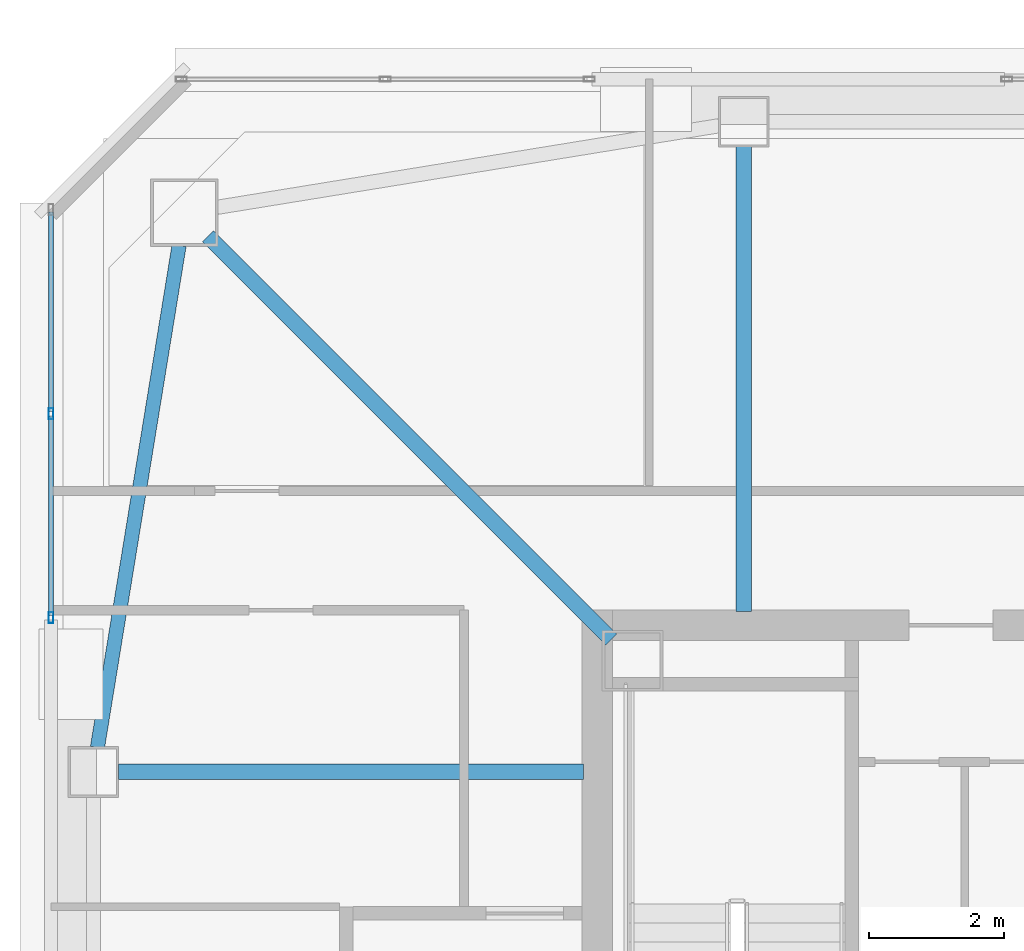
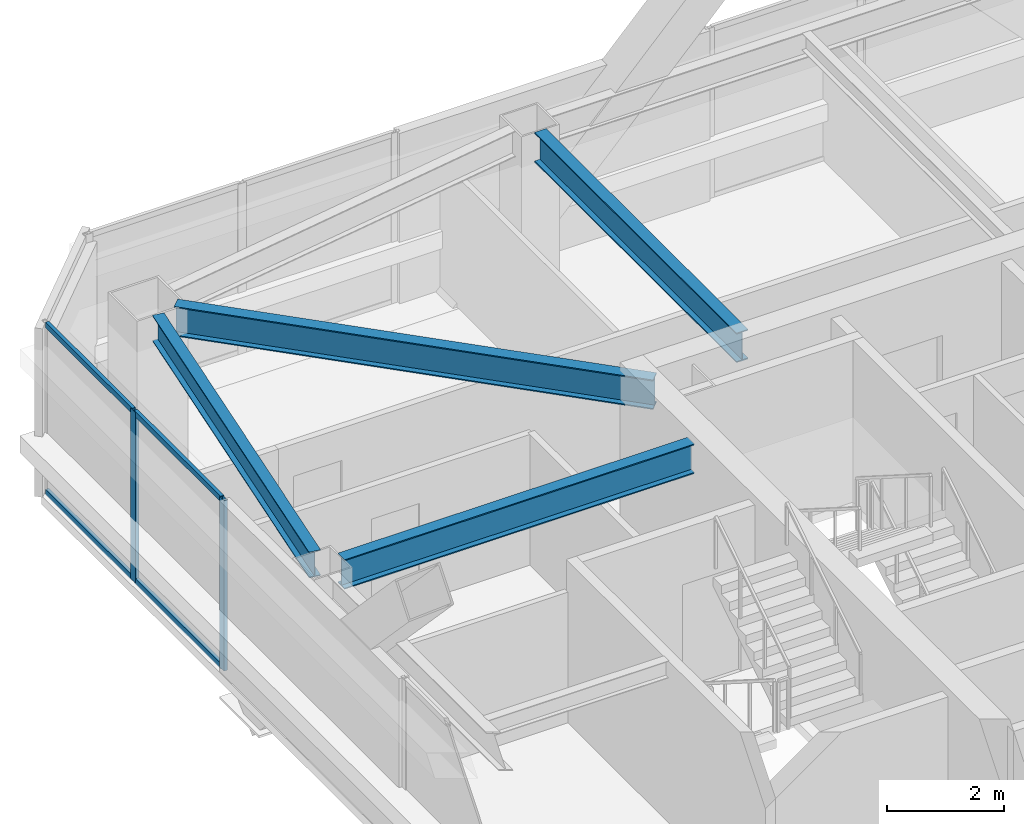
# One storey, part 10 of 39: 6 members, 4 beams, 1 element without a shape of its own.
"""IFC4 building model written with IfcOpenShell, lengths in metres."""

from ifc_helpers import new_model, si_unit, direction, frame, origin, origin_2d, place, context, subcontext, project, spatial, hollow_rectangle, i_section, extrude, material, material_profile, profile_set, type_object, element, aggregate, save


model = new_model("IFC4")

# Units and contexts
model_context = context("Model", 3, precision=1e-05, world=origin(), true_north=direction((0.0, 1.0)))
body_context = subcontext(model_context, "Body", "Model", "MODEL_VIEW")
ifc_project = project(units=[si_unit("LENGTHUNIT", "METRE"), si_unit("AREAUNIT", "SQUARE_METRE"), si_unit("VOLUMEUNIT", "CUBIC_METRE"), si_unit("PLANEANGLEUNIT", "RADIAN"), si_unit("MASSUNIT", "GRAM", prefix="KILO")], contexts=[model_context])

# Site, building, storey
site_placement = place(None, origin())
site = spatial("IfcSite", under=ifc_project, at=site_placement, CompositionType="ELEMENT")
building_placement = place(site_placement, origin())
building = spatial("IfcBuilding", under=site, at=building_placement, Name="Tashvorn Skyway Center", CompositionType="ELEMENT")
storey_placement = place(building_placement, frame((0.0, 0.0, 239.699951171875)))
storey = spatial("IfcBuildingStorey", under=building, at=storey_placement, Name="L65", CompositionType="ELEMENT", Elevation=239.699951171875)

# Beams
ifc_material_1 = material(Name="Steel ASTM A992 Grade 50", Category="steel")
ifc_material_profile_1 = material_profile(ifc_material_1, i_section(OverallWidth=0.22998046875, OverallDepth=0.616943359375, WebThickness=0.01318359375, FlangeThickness=0.022216796875, at=origin_2d()), Name="W24X94")
ifc_profile_set_1 = profile_set([ifc_material_profile_1], Name="Steel ASTM A992 Grade 50")
beam_type_1 = type_object("IfcBeamType", Name="BM-BEAM-W24X94", PredefinedType="BEAM", material=ifc_profile_set_1)
beam_1_placement = place(storey_placement, frame((28.64990234375, 45.35009765625, 3.0615234375), z_axis=(0.707106781187, -0.707106781187, 0.0), x_axis=(0.707106781187, 0.707106781187, 0.0)))
element("IfcBeam", 1, at=beam_1_placement, inside=storey, type_object=beam_type_1, Name="Tower 1 L65 Primary Floor Girder MC-NW", PredefinedType="BEAM", context=body_context, shape_type="SweptSolid", body=[
    extrude(i_section(OverallWidth=0.22998046875, OverallDepth=0.616943359375, WebThickness=0.01318359375, FlangeThickness=0.022216796875, at=origin_2d()), origin(), (0.0, 0.0, 1.0), 8.464599609375),
])
for number, where, z_axis, x_axis, name in (
    (2, (36.60009765625, 46.679931640625, 3.0615234375), (0.0, -1.0, 0.0), (1.0, 0.0, 0.0), "Tower 1 L65 Primary Floor Girder FC-N2"),
    (3, (27.320068359375, 37.39990234375, 3.0615234375), (1.0, 0.0, 0.0), (0.0, 1.0, 0.0), "Tower 1 L65 Primary Floor Girder FC-W1"),
):
    element("IfcBeam", number, at=place(storey_placement, frame(where, z_axis=z_axis, x_axis=x_axis)), inside=storey, type_object=beam_type_1, Name=name, PredefinedType="BEAM", context=body_context, shape_type="SweptSolid", body=[
        extrude(i_section(OverallWidth=0.22998046875, OverallDepth=0.616943359375, WebThickness=0.01318359375, FlangeThickness=0.022216796875, at=origin_2d()), origin(), (0.0, 0.0, 1.0), 6.89990234375),
    ])
ifc_material_profile_2 = material_profile(ifc_material_1, i_section(OverallWidth=0.2109375, OverallDepth=0.5390625, WebThickness=0.01171875, FlangeThickness=0.018798828125, at=origin_2d()), Name="W21X73")
ifc_profile_set_2 = profile_set([ifc_material_profile_2], Name="Steel ASTM A992 Grade 50")
beam_type_2 = type_object("IfcBeamType", Name="BM-SPANDREL-W21X73", PredefinedType="SPANDREL", material=ifc_profile_set_2)
beam_2_placement = place(storey_placement, frame((28.220458984375, 45.21142578125, 3.1005859375), z_axis=(-0.160514302677, -0.987033514444, 0.0), x_axis=(0.987033514444, -0.160514302677, 0.0)))
element("IfcBeam", 4, at=beam_2_placement, inside=storey, type_object=beam_type_2, Name="Tower 1 L65 Spandrel Beam 10", PredefinedType="SPANDREL", context=body_context, shape_type="SweptSolid", body=[
    extrude(i_section(OverallWidth=0.2109375, OverallDepth=0.5390625, WebThickness=0.01171875, FlangeThickness=0.018798828125, at=origin_2d()), origin(), (0.0, 0.0, 1.0), 7.544189453125),
])

# Curtain wall, members
ifc_material_2 = material(Name="Thermally broken bronze-anodized aluminium 6063-T6", Category="aluminium")
curtain_wall_type = type_object("IfcCurtainWallType", Name="CW-CW-Z5", PredefinedType="NOTDEFINED", material=ifc_material_2)
curtain_wall_placement = place(storey_placement, origin())
curtain_wall = element("IfcCurtainWall", 5, at=curtain_wall_placement, inside=storey, type_object=curtain_wall_type, Name="Tower 1 L65 West Unitised Curtain Wall Glazing Group 3", PredefinedType="NOTDEFINED")
ifc_material_profile_3 = material_profile(ifc_material_2, hollow_rectangle(XDim=0.070068359375, YDim=0.1650390625, WallThickness=0.00390625, at=origin_2d()), Name="ALU-MULL-70x165")
ifc_profile_set_3 = profile_set([ifc_material_profile_3], Name="Thermally broken bronze-anodized aluminium 6063-T6")
member_type_1 = type_object("IfcMemberType", Name="CWM-CW-Z5", PredefinedType="MULLION", material=ifc_profile_set_3)
member_1_placement = place(storey_placement, frame((26.320068359375, 39.690673828125, 0.0), z_axis=(0.0, 0.0, 1.0), x_axis=(-1.0, 0.0, 0.0)))
member_1 = element("IfcMember", 6, at=member_1_placement, type_object=member_type_1, Name="CW-Z5 mullion 1", PredefinedType="MULLION", context=body_context, shape_type="SweptSolid", body=[
    extrude(hollow_rectangle(XDim=0.070068359375, YDim=0.1650390625, WallThickness=0.00390625, at=origin_2d()), origin(), (0.0, 0.0, 1.0), 3.550048828125),
])
member_2_placement = place(storey_placement, frame((26.320068359375, 42.7177734375, 0.0), z_axis=(0.0, 0.0, 1.0), x_axis=(-1.0, 0.0, 0.0)))
member_2 = element("IfcMember", 7, at=member_2_placement, type_object=member_type_1, Name="CW-Z5 mullion 2", PredefinedType="MULLION", context=body_context, shape_type="SweptSolid", body=[
    extrude(hollow_rectangle(XDim=0.070068359375, YDim=0.1650390625, WallThickness=0.00390625, at=origin_2d()), origin(), (0.0, 0.0, 1.0), 3.550048828125),
])
ifc_material_profile_4 = material_profile(ifc_material_2, hollow_rectangle(XDim=0.070068359375, YDim=0.114990234375, WallThickness=0.00390625, at=origin_2d()), Name="ALU-TRAN-70x115")
ifc_profile_set_4 = profile_set([ifc_material_profile_4], Name="Thermally broken bronze-anodized aluminium 6063-T6")
member_type_2 = type_object("IfcMemberType", Name="CWT-CW-Z5", PredefinedType="USERDEFINED", material=ifc_profile_set_4)
member_3_placement = place(storey_placement, frame((26.320068359375, 39.7255859375, 0.03515625), z_axis=(0.0, 1.0, 0.0), x_axis=(-1.0, 0.0, 0.0)))
member_3 = element("IfcMember", 8, at=member_3_placement, type_object=member_type_2, Name="CW-Z5 transom 1.1", ObjectType="TRANSOM", PredefinedType="USERDEFINED", context=body_context, shape_type="SweptSolid", body=[
    extrude(hollow_rectangle(XDim=0.070068359375, YDim=0.114990234375, WallThickness=0.00390625, at=origin_2d()), origin(), (0.0, 0.0, 1.0), 2.957275390625),
])
member_4_placement = place(storey_placement, frame((26.320068359375, 39.7255859375, 3.51513671875), z_axis=(0.0, 1.0, 0.0), x_axis=(-1.0, 0.0, 0.0)))
member_4 = element("IfcMember", 9, at=member_4_placement, type_object=member_type_2, Name="CW-Z5 transom 1.2", ObjectType="TRANSOM", PredefinedType="USERDEFINED", context=body_context, shape_type="SweptSolid", body=[
    extrude(hollow_rectangle(XDim=0.070068359375, YDim=0.114990234375, WallThickness=0.00390625, at=origin_2d()), origin(), (0.0, 0.0, 1.0), 2.957275390625),
])
member_5_placement = place(storey_placement, frame((26.320068359375, 42.752685546875, 0.03515625), z_axis=(0.0, 1.0, 0.0), x_axis=(-1.0, 0.0, 0.0)))
member_5 = element("IfcMember", 10, at=member_5_placement, type_object=member_type_2, Name="CW-Z5 transom 2.1", ObjectType="TRANSOM", PredefinedType="USERDEFINED", context=body_context, shape_type="SweptSolid", body=[
    extrude(hollow_rectangle(XDim=0.070068359375, YDim=0.114990234375, WallThickness=0.00390625, at=origin_2d()), origin(), (0.0, 0.0, 1.0), 2.957275390625),
])
member_6_placement = place(storey_placement, frame((26.320068359375, 42.752685546875, 3.51513671875), z_axis=(0.0, 1.0, 0.0), x_axis=(-1.0, 0.0, 0.0)))
member_6 = element("IfcMember", 11, at=member_6_placement, type_object=member_type_2, Name="CW-Z5 transom 2.2", ObjectType="TRANSOM", PredefinedType="USERDEFINED", context=body_context, shape_type="SweptSolid", body=[
    extrude(hollow_rectangle(XDim=0.070068359375, YDim=0.114990234375, WallThickness=0.00390625, at=origin_2d()), origin(), (0.0, 0.0, 1.0), 2.957275390625),
])
aggregate(curtain_wall, [member_1, member_2, member_3, member_4, member_5, member_6])

save(model, "model.ifc")
